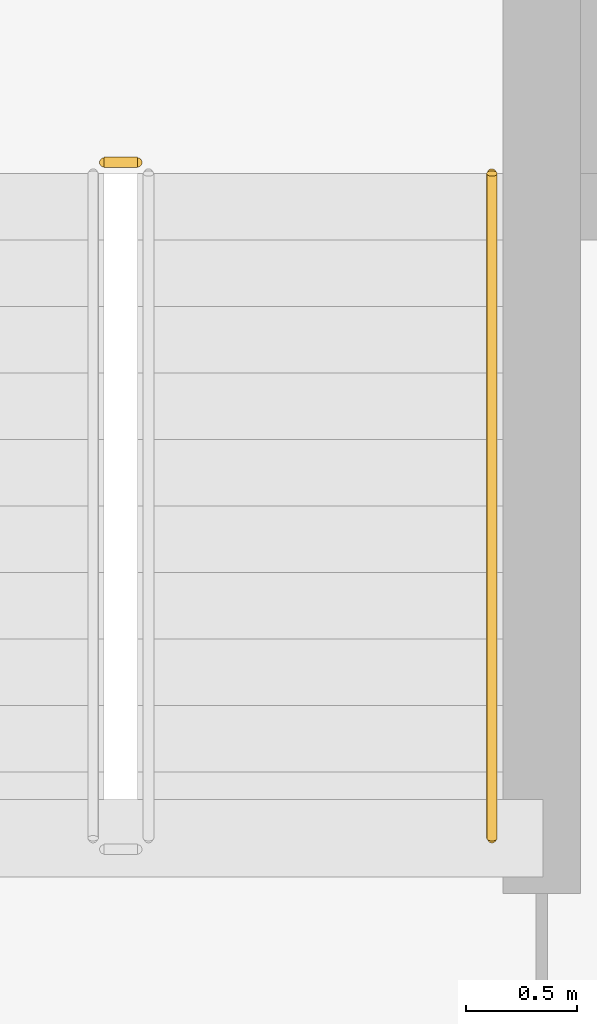
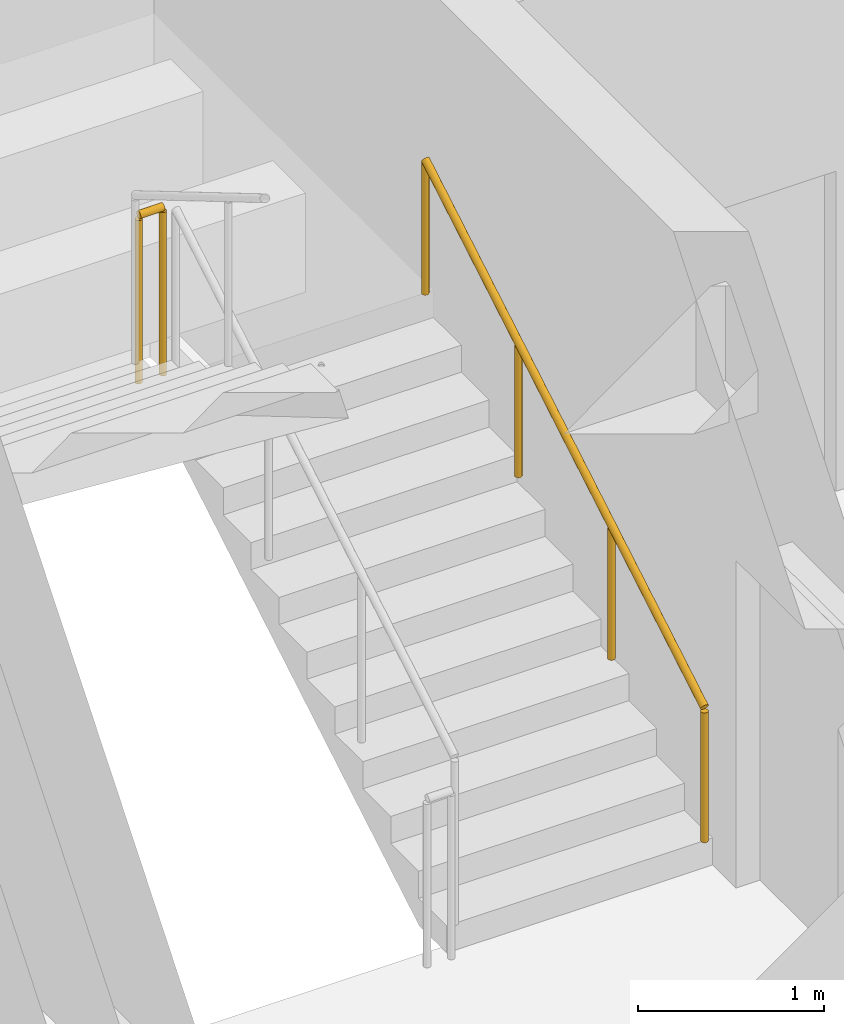
# One storey, part 11 of 12: 2 railings.
"""IFC4 building model written with IfcOpenShell, lengths in metres."""

from ifc_helpers import new_model, si_unit, direction, frame, origin, origin_2d, place, context, subcontext, project, spatial, circle, extrude, material, material_profile, profile_set, type_object, element, save


model = new_model("IFC4")

# Units and contexts
model_context = context("Model", 3, precision=1e-05, world=origin(), true_north=direction((0.0, 1.0)))
body_context = subcontext(model_context, "Body", "Model", "MODEL_VIEW")
ifc_project = project(units=[si_unit("LENGTHUNIT", "METRE"), si_unit("AREAUNIT", "SQUARE_METRE"), si_unit("VOLUMEUNIT", "CUBIC_METRE"), si_unit("PLANEANGLEUNIT", "RADIAN"), si_unit("MASSUNIT", "GRAM", prefix="KILO")], contexts=[model_context])

# Site, building, storey
site_placement = place(None, origin())
site = spatial("IfcSite", under=ifc_project, at=site_placement, CompositionType="ELEMENT")
building_placement = place(site_placement, origin())
building = spatial("IfcBuilding", under=site, at=building_placement, Name="Tazoul Stagehouse", CompositionType="ELEMENT")
storey_placement = place(building_placement, frame((0.0, 0.0, 17.10009765625)))
storey = spatial("IfcBuildingStorey", under=building, at=storey_placement, Name="L04", CompositionType="ELEMENT", Elevation=17.10009765625)

# Railings
ifc_material = material(Name="Brushed Stainless Steel 316L", Category="steel")
ifc_material_profile_1 = material_profile(ifc_material, circle(Radius=0.02392578125, at=origin_2d()), Name="SS RAIL D48")
ifc_profile_set_1 = profile_set([ifc_material_profile_1], Name="Brushed Stainless Steel 316L")
railing_type_1 = type_object("IfcRailingType", Name="Architectural Guardrail H1120", PredefinedType="GUARDRAIL", material=ifc_profile_set_1)
railing_1_placement = place(storey_placement, frame((60.449951171875, 106.85009765625, 1.949951171875)))
element("IfcRailing", 1, at=railing_1_placement, inside=storey, type_object=railing_type_1, Name="L04 ST-03 stair guard 2", PredefinedType="GUARDRAIL", context=body_context, shape_type="SweptSolid", body=[
    extrude(circle(Radius=0.02392578125, at=origin_2d()), frame((0.0, 0.0, 1.09619140625), z_axis=(-1.0, 0.0, 0.0), x_axis=(0.0, -1.0, 0.0)), (0.0, 0.0, 1.0), 0.14990234375),
    extrude(circle(Radius=0.02099609375, at=origin_2d()), origin(), (0.0, 0.0, 1.0), 1.072021484375),
    extrude(circle(Radius=0.02099609375, at=origin_2d()), frame((-0.14990234375, 0.0, 0.0)), (0.0, 0.0, 1.0), 1.072021484375),
])
ifc_material_profile_2 = material_profile(ifc_material, circle(Radius=0.02099609375, at=origin_2d()), Name="SS HANDRAIL D42")
ifc_profile_set_2 = profile_set([ifc_material_profile_2], Name="Brushed Stainless Steel 316L")
railing_type_2 = type_object("IfcRailingType", Name="Continuous Stair Handrail H900", PredefinedType="HANDRAIL", material=ifc_profile_set_2)
railing_2_placement = place(storey_placement, frame((62.050048828125, 103.800048828125, 0.17724609375)))
element("IfcRailing", 2, at=railing_2_placement, inside=storey, type_object=railing_type_2, Name="L04 ST-03 stair handrail 1", PredefinedType="HANDRAIL", context=body_context, shape_type="SweptSolid", body=[
    extrude(circle(Radius=0.02392578125, at=origin_2d()), frame((0.0, 0.0, 0.8759765625), z_axis=(0.0, 0.86092931783, 0.508724591208), x_axis=(-1.0, 0.0, 0.0)), (0.0, 0.0, 1.0), 3.484619140625),
    extrude(circle(Radius=0.02099609375, at=origin_2d()), origin(), (0.0, 0.0, 1.0), 0.851806640625),
    extrude(circle(Radius=0.02099609375, at=origin_2d()), frame((0.0, 1.0, 0.5908203125)), (0.0, 0.0, 1.0), 0.851806640625),
    extrude(circle(Radius=0.02099609375, at=origin_2d()), frame((0.0, 2.0, 1.181884765625)), (0.0, 0.0, 1.0), 0.851806640625),
    extrude(circle(Radius=0.02099609375, at=origin_2d()), frame((0.0, 3.0, 1.772705078125)), (0.0, 0.0, 1.0), 0.851806640625),
])

save(model, "model.ifc")
